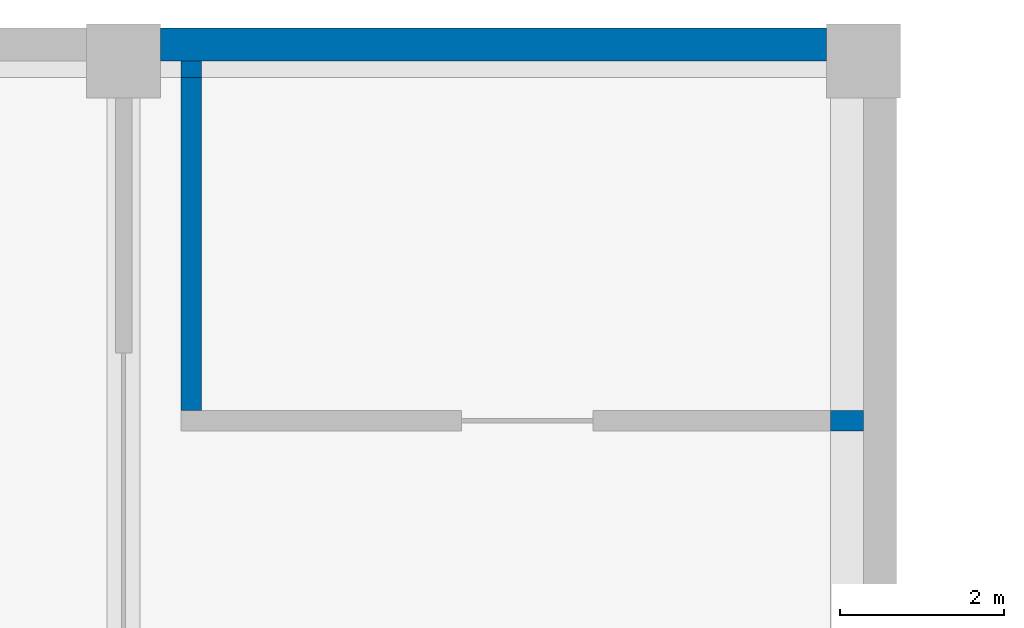
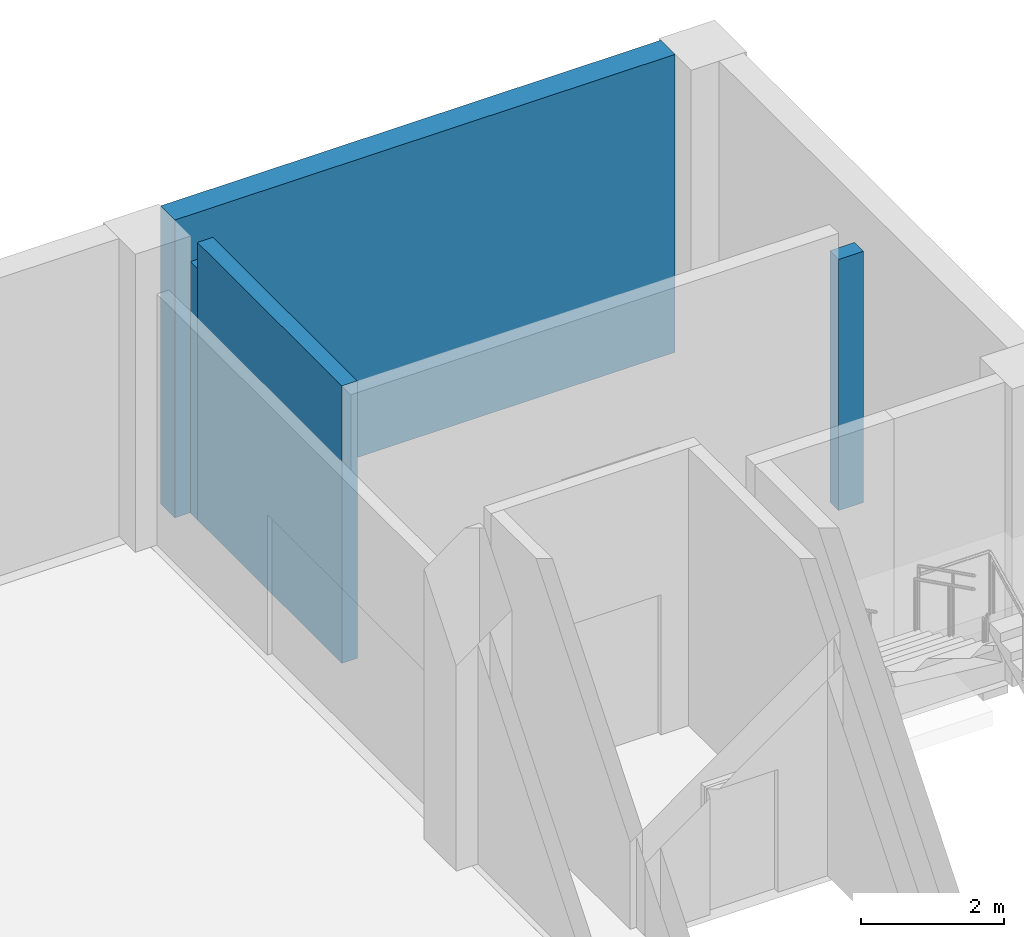
# One storey, part 10 of 16: 4 walls.
"""IFC4 building model written with IfcOpenShell, lengths in metres."""

from ifc_helpers import new_model, si_unit, direction, frame, frame_2d, origin, place, context, subcontext, project, spatial, rectangle, extrude, material, layer, layer_set, type_object, element, save


model = new_model("IFC4")

# Units and contexts
model_context = context("Model", 3, precision=1e-05, world=origin(), true_north=direction((0.0, 1.0)))
body_context = subcontext(model_context, "Body", "Model", "MODEL_VIEW")
ifc_project = project(units=[si_unit("LENGTHUNIT", "METRE"), si_unit("AREAUNIT", "SQUARE_METRE"), si_unit("VOLUMEUNIT", "CUBIC_METRE"), si_unit("PLANEANGLEUNIT", "RADIAN"), si_unit("MASSUNIT", "GRAM", prefix="KILO")], contexts=[model_context])

# Site, building, storey
site_placement = place(None, origin())
site = spatial("IfcSite", under=ifc_project, at=site_placement, CompositionType="ELEMENT")
building_placement = place(site_placement, origin())
building = spatial("IfcBuilding", under=site, at=building_placement, Name="Guidao Yard Department Store", CompositionType="ELEMENT")
storey_placement = place(building_placement, frame((0.0, 0.0, -5.10009765625)))
storey = spatial("IfcBuildingStorey", under=building, at=storey_placement, Name="B1", CompositionType="ELEMENT", Elevation=-5.10009765625)

# Walls
ifc_material_1 = material(Name="Concrete C40", Category="concrete")
ifc_layer_1 = layer(ifc_material_1, 0.39990234375)
ifc_layer_set_1 = layer_set([ifc_layer_1], Name="Retaining wall 400 C40")
wall_type_1 = type_object("IfcWallType", Name="Retaining wall 400 C40", PredefinedType="SOLIDWALL", material=ifc_layer_set_1)
wall_1_placement = place(storey_placement, frame((99.449951171875, 108.199951171875, 0.0), z_axis=(0.0, 0.0, 1.0), x_axis=(1.0, 0.0, 0.0)))
element("IfcWall", 1, at=wall_1_placement, inside=storey, type_object=wall_type_1, Name="Retaining wall B1-061", PredefinedType="SOLIDWALL", context=body_context, shape_type="SweptSolid", body=[
    extrude(rectangle(XDim=8.10009765625, YDim=0.39990234375, at=frame_2d((4.050048828125, 0.0))), origin(), (0.0, 0.0, 1.0), 5.10009765625),
])
ifc_material_2 = material(Name="Concrete C40", Category="concrete")
ifc_layer_2 = layer(ifc_material_2, 0.25)
ifc_layer_set_2 = layer_set([ifc_layer_2], Name="Support Wall 250 Concrete C40")
wall_type_2 = type_object("IfcWallType", Name="Support Wall 250 Concrete C40", PredefinedType="SOLIDWALL", material=ifc_layer_set_2)
wall_2_placement = place(storey_placement, frame((107.60009765625, 103.625, 0.0), z_axis=(0.0, 0.0, 1.0), x_axis=(1.0, 0.0, 0.0)))
element("IfcWall", 2, at=wall_2_placement, inside=storey, type_object=wall_type_2, Name="pt.wall.B1.0030a", PredefinedType="SOLIDWALL", context=body_context, shape_type="SweptSolid", body=[
    extrude(rectangle(XDim=0.39990234375, YDim=0.25, at=frame_2d((0.199951171875, 0.0))), origin(), (0.0, 0.0, 1.0), 4.300048828125),
])
wall_3_placement = place(storey_placement, frame((99.824951171875, 103.75, 0.0), z_axis=(0.0, 0.0, 1.0), x_axis=(0.0, 1.0, 0.0)))
element("IfcWall", 3, at=wall_3_placement, inside=storey, type_object=wall_type_2, Name="pt.wall.B1.0064", PredefinedType="SOLIDWALL", context=body_context, shape_type="SweptSolid", body=[
    extrude(rectangle(XDim=4.050048828125, YDim=0.25, at=frame_2d((2.02490234375, 0.0))), origin(), (0.0, 0.0, 1.0), 4.75),
])
wall_4_placement = place(storey_placement, frame((99.824951171875, 107.800048828125, 0.0), z_axis=(0.0, 0.0, 1.0), x_axis=(0.0, 1.0, 0.0)))
element("IfcWall", 4, at=wall_4_placement, inside=storey, type_object=wall_type_2, Name="pt.wall.B1.0064a", PredefinedType="SOLIDWALL", context=body_context, shape_type="SweptSolid", body=[
    extrude(rectangle(XDim=0.199951171875, YDim=0.25, at=frame_2d((0.10009765625, 0.0))), origin(), (0.0, 0.0, 1.0), 4.300048828125),
])

save(model, "model.ifc")
